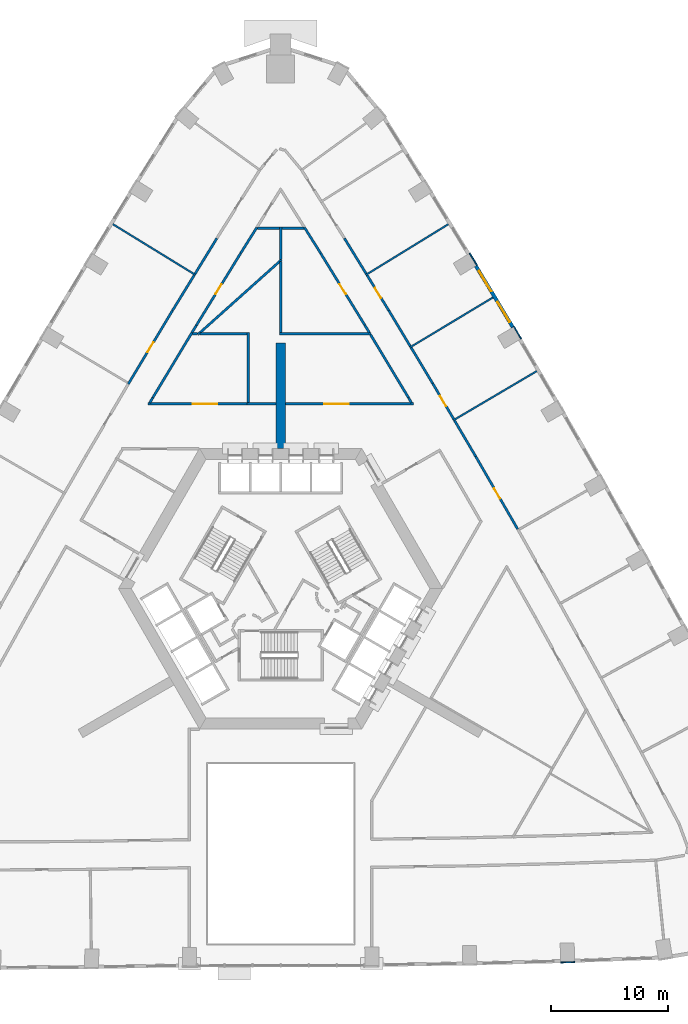
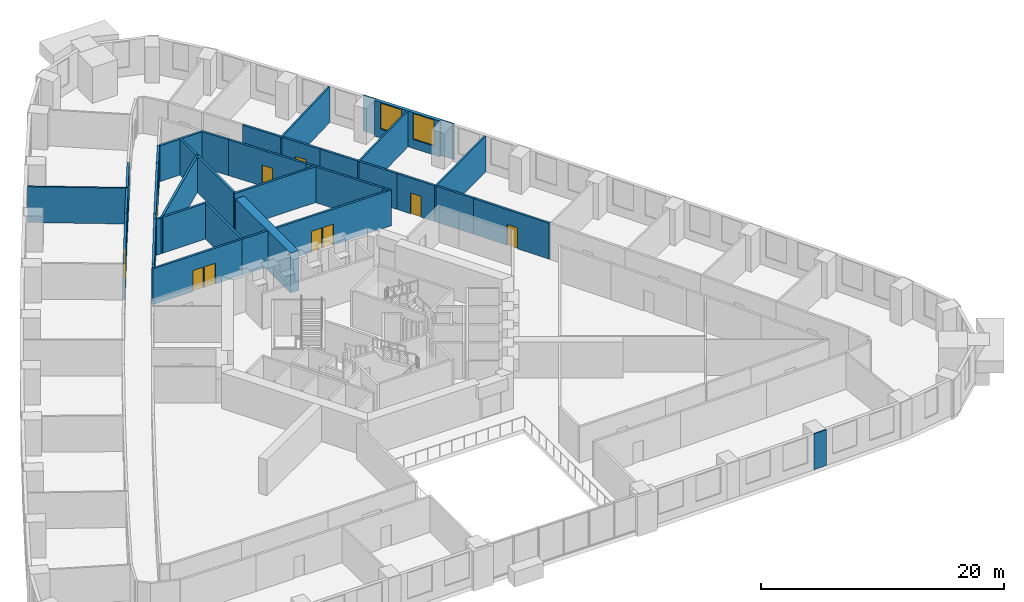
# One storey, part 9 of 15: 41 walls, 10 doors, 2 windows, 12 openings.
"""IFC4 building model written with IfcOpenShell, lengths in metres."""

from ifc_helpers import new_model, si_unit, direction, frame, frame_2d, origin, place, context, subcontext, project, spatial, rectangle, extrude, material, layer, layer_set, type_object, element, fill, save


model = new_model("IFC4")

# Units and contexts
model_context = context("Model", 3, precision=1e-05, world=origin(), true_north=direction((0.0, 1.0)))
body_context = subcontext(model_context, "Body", "Model", "MODEL_VIEW")
ifc_project = project(units=[si_unit("LENGTHUNIT", "METRE"), si_unit("AREAUNIT", "SQUARE_METRE"), si_unit("VOLUMEUNIT", "CUBIC_METRE"), si_unit("PLANEANGLEUNIT", "RADIAN"), si_unit("MASSUNIT", "GRAM", prefix="KILO")], contexts=[model_context])

# Site, building, storey
site_placement = place(None, origin())
site = spatial("IfcSite", under=ifc_project, at=site_placement, CompositionType="ELEMENT")
building_placement = place(site_placement, origin())
building = spatial("IfcBuilding", under=site, at=building_placement, Name="Entoto Arch Interchange Tower", CompositionType="ELEMENT")
storey_placement = place(building_placement, frame((0.0, 0.0, 77.0)))
storey = spatial("IfcBuildingStorey", under=building, at=storey_placement, Name="L16", CompositionType="ELEMENT", Elevation=77.0)

# Walls
ifc_material_1 = material(Name="Concrete C60/75", Category="concrete")
ifc_layer_1 = layer(ifc_material_1, 0.800048828125)
ifc_layer_set_1 = layer_set([ifc_layer_1], Name="Concrete C60/75")
wall_type_1 = type_object("IfcWallType", Name="Buttress wall 800 C60/75", PredefinedType="SHEAR", material=ifc_layer_set_1)
wall_1_placement = place(storey_placement, frame((0.0, 14.5, -0.39990234375), z_axis=(0.0, 0.0, 1.0), x_axis=(0.0, 1.0, 0.0)))
element("IfcWall", 1, at=wall_1_placement, inside=storey, type_object=wall_type_1, Name="Buttress wall N L16", PredefinedType="SHEAR", context=body_context, shape_type="SweptSolid", body=[
    extrude(rectangle(XDim=9.0, YDim=0.800048828125, at=frame_2d((4.5, 0.0))), origin(), (0.0, 0.0, 1.0), 4.0),
])
ifc_material_2 = material(Name="Gypsum board partition on steel studs", Category="steel")
ifc_layer_2 = layer(ifc_material_2, 0.14990234375)
ifc_layer_set_2 = layer_set([ifc_layer_2], Name="Gypsum board partition on steel studs")
wall_type_2 = type_object("IfcWallType", Name="PARTITION 150", PredefinedType="PARTITIONING", material=ifc_layer_set_2)
wall_2_placement = place(storey_placement, frame((14.740966796875, 16.885009765625, 0.0), z_axis=(0.0, 0.0, 1.0), x_axis=(0.861505144806, 0.507748840936, 0.0)))
element("IfcWall", 2, at=wall_2_placement, inside=storey, type_object=wall_type_2, Name="wall:L16:p137", PredefinedType="PARTITIONING", context=body_context, shape_type="SweptSolid", body=[
    extrude(rectangle(XDim=8.299560546875, YDim=0.14990234375, at=frame_2d((4.14990234375, 0.0))), origin(), (0.0, 0.0, 1.0), 3.60009765625),
])
wall_3_placement = place(storey_placement, frame((11.031005859375, 23.113037109375, 0.0), z_axis=(0.0, 0.0, 1.0), x_axis=(0.856780947164, 0.515680529568, 0.0)))
element("IfcWall", 3, at=wall_3_placement, inside=storey, type_object=wall_type_2, Name="wall:L16:p138", PredefinedType="PARTITIONING", context=body_context, shape_type="SweptSolid", body=[
    extrude(rectangle(XDim=8.2998046875, YDim=0.14990234375, at=frame_2d((4.14990234375, 0.0))), origin(), (0.0, 0.0, 1.0), 3.60009765625),
])
for number, where, z_axis, x_axis, name in (
    (4, (7.262939453125, 29.31005859375, 0.0), (0.0, 0.0, 1.0), (0.85208929269, 0.523396443706, 0.0), "wall:L16:p139"),
    (5, (-7.262939453125, 29.31005859375, 0.0), (0.0, 0.0, 1.0), (-0.85208929269, 0.523396443706, 0.0), "wall:L16:p143"),
):
    element("IfcWall", number, at=place(storey_placement, frame(where, z_axis=z_axis, x_axis=x_axis)), inside=storey, type_object=wall_type_2, Name=name, PredefinedType="PARTITIONING", context=body_context, shape_type="SweptSolid", body=[
        extrude(rectangle(XDim=8.299560546875, YDim=0.14990234375, at=frame_2d((4.14990234375, 0.0))), origin(), (0.0, 0.0, 1.0), 3.60009765625),
    ])
ifc_layer_3 = layer(ifc_material_2, 0.199951171875)
ifc_layer_set_3 = layer_set([ifc_layer_3], Name="Gypsum board partition on steel studs")
wall_type_3 = type_object("IfcWallType", Name="PARTITION 200", PredefinedType="PARTITIONING", material=ifc_layer_set_3)
wall_4_placement = place(storey_placement, frame((11.18603515625, 18.385986328125, 0.0), z_axis=(0.0, 0.0, 1.0), x_axis=(-0.507247363226, 0.861800506208, 0.0)))
element("IfcWall", 6, at=wall_4_placement, inside=storey, type_object=wall_type_3, Name="wall:L16:p008", PredefinedType="PARTITIONING", context=body_context, shape_type="SweptSolid", body=[
    extrude(rectangle(XDim=0.516357421875, YDim=0.199951171875, at=frame_2d((0.25830078125, 0.0))), origin(), (0.0, 0.0, 1.0), 3.60009765625),
])
wall_5_placement = place(storey_placement, frame((10.924072265625, 18.8310546875, 0.0), z_axis=(0.0, 0.0, 1.0), x_axis=(-0.515797941416, 0.856710268195, 0.0)))
element("IfcWall", 7, at=wall_5_placement, inside=storey, type_object=wall_type_3, Name="wall:L16:p009", PredefinedType="PARTITIONING", context=body_context, shape_type="SweptSolid", body=[
    extrude(rectangle(XDim=6.283447265625, YDim=0.199951171875, at=frame_2d((3.1416015625, 0.0))), origin(), (0.0, 0.0, 1.0), 3.60009765625),
])
wall_6_placement = place(storey_placement, frame((-7.580078125, 24.385986328125, 0.0), z_axis=(0.0, 0.0, 1.0), x_axis=(-0.51574664882, -0.85674114774, 0.0)))
element("IfcWall", 8, at=wall_6_placement, inside=storey, type_object=wall_type_3, Name="wall:L16:p010", PredefinedType="PARTITIONING", context=body_context, shape_type="SweptSolid", body=[
    extrude(rectangle(XDim=6.48388671875, YDim=0.199951171875, at=frame_2d((3.241943359375, 0.0))), origin(), (0.0, 0.0, 1.0), 3.60009765625),
])
wall_7_placement = place(storey_placement, frame((-10.924072265625, 18.8310546875, 0.0), z_axis=(0.0, 0.0, 1.0), x_axis=(-0.507247363226, -0.861800506208, 0.0)))
element("IfcWall", 9, at=wall_7_placement, inside=storey, type_object=wall_type_3, Name="wall:L16:p011", PredefinedType="PARTITIONING", context=body_context, shape_type="SweptSolid", body=[
    extrude(rectangle(XDim=0.516357421875, YDim=0.199951171875, at=frame_2d((0.25830078125, 0.0))), origin(), (0.0, 0.0, 1.0), 3.60009765625),
])
wall_8_placement = place(storey_placement, frame((7.580078125, 24.385986328125, 0.0), z_axis=(0.0, 0.0, 1.0), x_axis=(-0.515748848873, 0.856739823334, 0.0)))
element("IfcWall", 10, at=wall_8_placement, inside=storey, type_object=wall_type_3, Name="wall:L16:p012", PredefinedType="PARTITIONING", context=body_context, shape_type="SweptSolid", body=[
    extrude(rectangle(XDim=0.74462890625, YDim=0.199951171875, at=frame_2d((0.372314453125, 0.0))), origin(), (0.0, 0.0, 1.0), 3.60009765625),
])

# Wall, opening, door
wall_9_placement = place(storey_placement, frame((7.196044921875, 25.02392578125, 0.0), z_axis=(0.0, 0.0, 1.0), x_axis=(-0.523464329994, 0.852047589765, 0.0)))
wall_9 = element("IfcWall", 11, at=wall_9_placement, inside=storey, type_object=wall_type_3, Name="wall:L16:p013", PredefinedType="PARTITIONING", context=body_context, shape_type="SweptSolid", body=[
    extrude(rectangle(XDim=7.23095703125, YDim=0.199951171875, at=frame_2d((3.615478515625, 0.0))), origin(), (0.0, 0.0, 1.0), 3.60009765625),
])
opening_1_placement = place(wall_9_placement, frame((3.114990234375, 0.0, 0.0)))
opening_1 = element("IfcOpeningElement", 12, at=opening_1_placement, cuts=wall_9, Name="Opening L16-D26", PredefinedType="OPENING", context=body_context, shape_type="SweptSolid", body=[
    extrude(rectangle(XDim=1.0, YDim=2.10009765625, at=frame_2d((0.5, 1.050048828125))), frame((0.0, 0.10986328125, 0.0), z_axis=(0.0, -1.0, 0.0), x_axis=(1.0, 0.0, 0.0)), (0.0, 0.0, 1.0), 0.219970703125),
])
ifc_material_3 = material(Name="Timber door leaf in Steel S235 frame", Category="steel")
door_type = type_object("IfcDoorType", Name="DOOR DS-10 1000x2100", OperationType="SINGLE_SWING_LEFT", PredefinedType="DOOR", material=ifc_material_3)
door_1_placement = place(opening_1_placement, origin())
door_1 = element("IfcDoor", 13, at=door_1_placement, inside=storey, type_object=door_type, Name="door:L16:26", OperationType="SINGLE_SWING_LEFT", OverallHeight=2.10009765625, OverallWidth=1.0, PredefinedType="DOOR", context=body_context, shape_type="SweptSolid", body=[
    extrude(rectangle(XDim=1.0, YDim=2.10009765625, at=frame_2d((0.5, 1.050048828125))), frame((0.0, 0.02490234375, 0.0), z_axis=(0.0, -1.0, 0.0), x_axis=(1.0, 0.0, 0.0)), (0.0, 0.0, 1.0), 0.050048828125),
])
fill(opening_1, door_1)

# Walls
for number, where, z_axis, x_axis, name in (
    (14, (3.410888671875, 31.18505859375, 0.0), (0.0, 0.0, 1.0), (-0.531358798686, 0.84714687455, 0.0), "wall:L16:p014"),
    (15, (-2.031005859375, 33.385009765625, 0.0), (0.0, 0.0, 1.0), (-0.531358798686, -0.84714687455, 0.0), "wall:L16:p015"),
):
    element("IfcWall", number, at=place(storey_placement, frame(where, z_axis=z_axis, x_axis=x_axis)), inside=storey, type_object=wall_type_3, Name=name, PredefinedType="PARTITIONING", context=body_context, shape_type="SweptSolid", body=[
        extrude(rectangle(XDim=2.596923828125, YDim=0.199951171875, at=frame_2d((1.29833984375, 0.0))), origin(), (0.0, 0.0, 1.0), 3.60009765625),
    ])

# Wall, opening, door
wall_10_placement = place(storey_placement, frame((-3.410888671875, 31.18505859375, 0.0), z_axis=(0.0, 0.0, 1.0), x_axis=(-0.523464329994, -0.852047589765, 0.0)))
wall_10 = element("IfcWall", 16, at=wall_10_placement, inside=storey, type_object=wall_type_3, Name="wall:L16:p016", PredefinedType="PARTITIONING", context=body_context, shape_type="SweptSolid", body=[
    extrude(rectangle(XDim=7.23095703125, YDim=0.199951171875, at=frame_2d((3.615478515625, 0.0))), origin(), (0.0, 0.0, 1.0), 3.60009765625),
])
opening_2_placement = place(wall_10_placement, frame((3.114990234375, 0.0, 0.0)))
opening_2 = element("IfcOpeningElement", 17, at=opening_2_placement, cuts=wall_10, Name="Opening L16-D27", PredefinedType="OPENING", context=body_context, shape_type="SweptSolid", body=[
    extrude(rectangle(XDim=1.0, YDim=2.10009765625, at=frame_2d((0.5, 1.050048828125))), frame((0.0, 0.10986328125, 0.0), z_axis=(0.0, -1.0, 0.0), x_axis=(1.0, 0.0, 0.0)), (0.0, 0.0, 1.0), 0.219970703125),
])
door_2_placement = place(opening_2_placement, origin())
door_2 = element("IfcDoor", 18, at=door_2_placement, inside=storey, type_object=door_type, Name="door:L16:27", OperationType="SINGLE_SWING_LEFT", OverallHeight=2.10009765625, OverallWidth=1.0, PredefinedType="DOOR", context=body_context, shape_type="SweptSolid", body=[
    extrude(rectangle(XDim=1.0, YDim=2.10009765625, at=frame_2d((0.5, 1.050048828125))), frame((0.0, 0.02490234375, 0.0), z_axis=(0.0, -1.0, 0.0), x_axis=(1.0, 0.0, 0.0)), (0.0, 0.0, 1.0), 0.050048828125),
])
fill(opening_2, door_2)

# Walls
wall_11_placement = place(storey_placement, frame((-7.196044921875, 25.02392578125, 0.0), z_axis=(0.0, 0.0, 1.0), x_axis=(-0.515748848873, -0.856739823334, 0.0)))
element("IfcWall", 19, at=wall_11_placement, inside=storey, type_object=wall_type_3, Name="wall:L16:p017", PredefinedType="PARTITIONING", context=body_context, shape_type="SweptSolid", body=[
    extrude(rectangle(XDim=0.74462890625, YDim=0.199951171875, at=frame_2d((0.372314453125, 0.0))), origin(), (0.0, 0.0, 1.0), 3.60009765625),
])
wall_12_placement = place(storey_placement, frame((14.864990234375, 16.87109375, 0.0), z_axis=(0.0, 0.0, 1.0), x_axis=(0.507839876831, -0.861451484125, 0.0)))
element("IfcWall", 20, at=wall_12_placement, inside=storey, type_object=wall_type_3, Name="wall:L16:p048", PredefinedType="PARTITIONING", context=body_context, shape_type="SweptSolid", body=[
    extrude(rectangle(XDim=3.55224609375, YDim=0.199951171875, at=frame_2d((1.776123046875, 0.0))), origin(), (0.0, 0.0, 1.0), 3.60009765625),
])

# Wall, opening, door
wall_13_placement = place(storey_placement, frame((16.6689453125, 13.81103515625, 0.0), z_axis=(0.0, 0.0, 1.0), x_axis=(0.500027672765, -0.866009426316, 0.0)))
wall_13 = element("IfcWall", 21, at=wall_13_placement, inside=storey, type_object=wall_type_3, Name="wall:L16:p049", PredefinedType="PARTITIONING", context=body_context, shape_type="SweptSolid", body=[
    extrude(rectangle(XDim=7.177734375, YDim=0.199951171875, at=frame_2d((3.5888671875, 0.0))), origin(), (0.0, 0.0, 1.0), 3.60009765625),
])
opening_3_placement = place(wall_13_placement, frame((3.1640625, 0.0, 0.0)))
opening_3 = element("IfcOpeningElement", 22, at=opening_3_placement, cuts=wall_13, Name="Opening L16-D06", PredefinedType="OPENING", context=body_context, shape_type="SweptSolid", body=[
    extrude(rectangle(XDim=1.0, YDim=2.10009765625, at=frame_2d((0.5, 1.050048828125))), frame((0.0, 0.10986328125, 0.0), z_axis=(0.0, -1.0, 0.0), x_axis=(1.0, 0.0, 0.0)), (0.0, 0.0, 1.0), 0.219970703125),
])
door_3_placement = place(opening_3_placement, origin())
door_3 = element("IfcDoor", 23, at=door_3_placement, inside=storey, type_object=door_type, Name="door:L16:06", OperationType="SINGLE_SWING_LEFT", OverallHeight=2.10009765625, OverallWidth=1.0, PredefinedType="DOOR", context=body_context, shape_type="SweptSolid", body=[
    extrude(rectangle(XDim=1.0, YDim=2.10009765625, at=frame_2d((0.5, 1.050048828125))), frame((0.0, 0.02490234375, 0.0), z_axis=(0.0, -1.0, 0.0), x_axis=(1.0, 0.0, 0.0)), (0.0, 0.0, 1.0), 0.050048828125),
])
fill(opening_3, door_3)

# Wall
wall_14_placement = place(storey_placement, frame((11.156005859375, 23.10009765625, 0.0), z_axis=(0.0, 0.0, 1.0), x_axis=(0.515628270719, -0.856812398623, 0.0)))
element("IfcWall", 24, at=wall_14_placement, inside=storey, type_object=wall_type_3, Name="wall:L16:p050", PredefinedType="PARTITIONING", context=body_context, shape_type="SweptSolid", body=[
    extrude(rectangle(XDim=3.54931640625, YDim=0.199951171875, at=frame_2d((1.774658203125, 0.0))), origin(), (0.0, 0.0, 1.0), 3.60009765625),
])

# Wall, opening, door
wall_15_placement = place(storey_placement, frame((12.986083984375, 20.05908203125, 0.0), z_axis=(0.0, 0.0, 1.0), x_axis=(0.507876424268, -0.861429937762, 0.0)))
wall_15 = element("IfcWall", 25, at=wall_15_placement, inside=storey, type_object=wall_type_3, Name="wall:L16:p051", PredefinedType="PARTITIONING", context=body_context, shape_type="SweptSolid", body=[
    extrude(rectangle(XDim=3.550048828125, YDim=0.199951171875, at=frame_2d((1.77490234375, 0.0))), origin(), (0.0, 0.0, 1.0), 3.60009765625),
])
opening_4_placement = place(wall_15_placement, frame((1.27490234375, 0.0, 0.0)))
opening_4 = element("IfcOpeningElement", 26, at=opening_4_placement, cuts=wall_15, Name="Opening L16-D07", PredefinedType="OPENING", context=body_context, shape_type="SweptSolid", body=[
    extrude(rectangle(XDim=1.0, YDim=2.10009765625, at=frame_2d((0.5, 1.050048828125))), frame((0.0, 0.10986328125, 0.0), z_axis=(0.0, -1.0, 0.0), x_axis=(1.0, 0.0, 0.0)), (0.0, 0.0, 1.0), 0.219970703125),
])
door_4_placement = place(opening_4_placement, origin())
door_4 = element("IfcDoor", 27, at=door_4_placement, inside=storey, type_object=door_type, Name="door:L16:07", OperationType="SINGLE_SWING_RIGHT", OverallHeight=2.10009765625, OverallWidth=1.0, PredefinedType="DOOR", context=body_context, shape_type="SweptSolid", body=[
    extrude(rectangle(XDim=1.0, YDim=2.10009765625, at=frame_2d((0.5, 1.050048828125))), frame((0.0, 0.02490234375, 0.0), z_axis=(0.0, -1.0, 0.0), x_axis=(1.0, 0.0, 0.0)), (0.0, 0.0, 1.0), 0.050048828125),
])
fill(opening_4, door_4)

wall_16_placement = place(storey_placement, frame((7.386962890625, 29.298095703125, 0.0), z_axis=(0.0, 0.0, 1.0), x_axis=(0.523341833043, -0.852122834917, 0.0)))
wall_16 = element("IfcWall", 28, at=wall_16_placement, inside=storey, type_object=wall_type_3, Name="wall:L16:p052", PredefinedType="PARTITIONING", context=body_context, shape_type="SweptSolid", body=[
    extrude(rectangle(XDim=3.552490234375, YDim=0.199951171875, at=frame_2d((1.7763671875, 0.0))), origin(), (0.0, 0.0, 1.0), 3.60009765625),
])
opening_5_placement = place(wall_16_placement, frame((1.27587890625, 0.0, 0.0)))
opening_5 = element("IfcOpeningElement", 29, at=opening_5_placement, cuts=wall_16, Name="Opening L16-D08", PredefinedType="OPENING", context=body_context, shape_type="SweptSolid", body=[
    extrude(rectangle(XDim=1.0, YDim=2.10009765625, at=frame_2d((0.5, 1.050048828125))), frame((0.0, 0.10986328125, 0.0), z_axis=(0.0, -1.0, 0.0), x_axis=(1.0, 0.0, 0.0)), (0.0, 0.0, 1.0), 0.219970703125),
])
door_5_placement = place(opening_5_placement, origin())
door_5 = element("IfcDoor", 30, at=door_5_placement, inside=storey, type_object=door_type, Name="door:L16:08", OperationType="SINGLE_SWING_RIGHT", OverallHeight=2.10009765625, OverallWidth=1.0, PredefinedType="DOOR", context=body_context, shape_type="SweptSolid", body=[
    extrude(rectangle(XDim=1.0, YDim=2.10009765625, at=frame_2d((0.5, 1.050048828125))), frame((0.0, 0.02490234375, 0.0), z_axis=(0.0, -1.0, 0.0), x_axis=(1.0, 0.0, 0.0)), (0.0, 0.0, 1.0), 0.050048828125),
])
fill(opening_5, door_5)

# Walls
wall_17_placement = place(storey_placement, frame((9.24609375, 26.27099609375, 0.0), z_axis=(0.0, 0.0, 1.0), x_axis=(0.515738557296, -0.856746018677, 0.0)))
element("IfcWall", 31, at=wall_17_placement, inside=storey, type_object=wall_type_3, Name="wall:L16:p053", PredefinedType="PARTITIONING", context=body_context, shape_type="SweptSolid", body=[
    extrude(rectangle(XDim=3.5517578125, YDim=0.199951171875, at=frame_2d((1.77587890625, 0.0))), origin(), (0.0, 0.0, 1.0), 3.60009765625),
])
for number, where, z_axis, x_axis, name in (
    (32, (5.449951171875, 32.450927734375, 0.0), (0.0, 0.0, 1.0), (0.523617783711, -0.851953294836, 0.0), "wall:L16:p055"),
    (33, (-7.30908203125, 29.426025390625, 0.0), (0.0, 0.0, 1.0), (0.523617783711, 0.851953294836, 0.0), "wall:L16:p060"),
):
    element("IfcWall", number, at=place(storey_placement, frame(where, z_axis=z_axis, x_axis=x_axis)), inside=storey, type_object=wall_type_3, Name=name, PredefinedType="PARTITIONING", context=body_context, shape_type="SweptSolid", body=[
        extrude(rectangle(XDim=3.550537109375, YDim=0.199951171875, at=frame_2d((1.775390625, 0.0))), origin(), (0.0, 0.0, 1.0), 3.60009765625),
    ])

# Wall, opening, door
wall_18_placement = place(storey_placement, frame((-13.02490234375, 19.9951171875, 0.0), z_axis=(0.0, 0.0, 1.0), x_axis=(0.515828195336, 0.856692052546, 0.0)))
wall_18 = element("IfcWall", 34, at=wall_18_placement, inside=storey, type_object=wall_type_3, Name="wall:L16:p062", PredefinedType="PARTITIONING", context=body_context, shape_type="SweptSolid", body=[
    extrude(rectangle(XDim=7.32568359375, YDim=0.199951171875, at=frame_2d((3.662841796875, 0.0))), origin(), (0.0, 0.0, 1.0), 3.60009765625),
])
opening_6_placement = place(wall_18_placement, frame((3.1630859375, 0.0, 0.0)))
opening_6 = element("IfcOpeningElement", 35, at=opening_6_placement, cuts=wall_18, Name="Opening L16-D13", PredefinedType="OPENING", context=body_context, shape_type="SweptSolid", body=[
    extrude(rectangle(XDim=1.0, YDim=2.10009765625, at=frame_2d((0.5, 1.050048828125))), frame((0.0, 0.10986328125, 0.0), z_axis=(0.0, -1.0, 0.0), x_axis=(1.0, 0.0, 0.0)), (0.0, 0.0, 1.0), 0.219970703125),
])
door_6_placement = place(opening_6_placement, origin())
door_6 = element("IfcDoor", 36, at=door_6_placement, inside=storey, type_object=door_type, Name="door:L16:13", OperationType="SINGLE_SWING_LEFT", OverallHeight=2.10009765625, OverallWidth=1.0, PredefinedType="DOOR", context=body_context, shape_type="SweptSolid", body=[
    extrude(rectangle(XDim=1.0, YDim=2.10009765625, at=frame_2d((0.5, 1.050048828125))), frame((0.0, 0.02490234375, 0.0), z_axis=(0.0, -1.0, 0.0), x_axis=(1.0, 0.0, 0.0)), (0.0, 0.0, 1.0), 0.050048828125),
])
fill(opening_6, door_6)

# Walls
wall_19_placement = place(storey_placement, frame((-9.24609375, 26.27099609375, 0.0), z_axis=(0.0, 0.0, 1.0), x_axis=(0.523341833043, 0.852122834917, 0.0)))
element("IfcWall", 37, at=wall_19_placement, inside=storey, type_object=wall_type_3, Name="wall:L16:p063", PredefinedType="PARTITIONING", context=body_context, shape_type="SweptSolid", body=[
    extrude(rectangle(XDim=3.552490234375, YDim=0.199951171875, at=frame_2d((1.7763671875, 0.0))), origin(), (0.0, 0.0, 1.0), 3.60009765625),
])
wall_20_placement = place(storey_placement, frame((-2.87109375, 18.300048828125, 0.0), z_axis=(0.0, 0.0, 1.0), x_axis=(1.0, 0.0, 0.0)))
element("IfcWall", 38, at=wall_20_placement, inside=storey, type_object=wall_type_3, Name="wall:L16:p114", PredefinedType="PARTITIONING", context=body_context, shape_type="SweptSolid", body=[
    extrude(rectangle(XDim=2.47119140625, YDim=0.199951171875, at=frame_2d((1.235595703125, 0.0))), origin(), (0.0, 0.0, 1.0), 3.60009765625),
])

# Wall, openings, doors
wall_21_placement = place(storey_placement, frame((-11.3369140625, 18.300048828125, 0.0), z_axis=(0.0, 0.0, 1.0), x_axis=(1.0, 0.0, 0.0)))
wall_21 = element("IfcWall", 39, at=wall_21_placement, inside=storey, type_object=wall_type_3, Name="wall:L16:p115", PredefinedType="PARTITIONING", context=body_context, shape_type="SweptSolid", body=[
    extrude(rectangle(XDim=8.4658203125, YDim=0.199951171875, at=frame_2d((4.23291015625, 0.0))), origin(), (0.0, 0.0, 1.0), 3.60009765625),
])
opening_7_placement = place(wall_21_placement, frame((3.8330078125, 0.0, 0.0)))
opening_7 = element("IfcOpeningElement", 40, at=opening_7_placement, cuts=wall_21, Name="Opening L16-D25", PredefinedType="OPENING", context=body_context, shape_type="SweptSolid", body=[
    extrude(rectangle(XDim=1.0, YDim=2.10009765625, at=frame_2d((0.5, 1.050048828125))), frame((0.0, 0.10986328125, 0.0), z_axis=(0.0, -1.0, 0.0), x_axis=(1.0, 0.0, 0.0)), (0.0, 0.0, 1.0), 0.219970703125),
])
opening_8_placement = place(wall_21_placement, frame((4.93310546875, 0.0, 0.0)))
opening_8 = element("IfcOpeningElement", 41, at=opening_8_placement, cuts=wall_21, Name="Opening L16-D38", PredefinedType="OPENING", context=body_context, shape_type="SweptSolid", body=[
    extrude(rectangle(XDim=1.0, YDim=2.10009765625, at=frame_2d((0.5, 1.050048828125))), frame((0.0, 0.10986328125, 0.0), z_axis=(0.0, -1.0, 0.0), x_axis=(1.0, 0.0, 0.0)), (0.0, 0.0, 1.0), 0.219970703125),
])
door_7_placement = place(opening_7_placement, origin())
door_7 = element("IfcDoor", 42, at=door_7_placement, inside=storey, type_object=door_type, Name="door:L16:25", OperationType="SINGLE_SWING_RIGHT", OverallHeight=2.10009765625, OverallWidth=1.0, PredefinedType="DOOR", context=body_context, shape_type="SweptSolid", body=[
    extrude(rectangle(XDim=1.0, YDim=2.10009765625, at=frame_2d((0.5, 1.050048828125))), frame((0.0, 0.02490234375, 0.0), z_axis=(0.0, -1.0, 0.0), x_axis=(1.0, 0.0, 0.0)), (0.0, 0.0, 1.0), 0.050048828125),
])
fill(opening_7, door_7)
door_8_placement = place(opening_8_placement, origin())
door_8 = element("IfcDoor", 43, at=door_8_placement, inside=storey, type_object=door_type, Name="door:L16:38", OperationType="SINGLE_SWING_RIGHT", OverallHeight=2.10009765625, OverallWidth=1.0, PredefinedType="DOOR", context=body_context, shape_type="SweptSolid", body=[
    extrude(rectangle(XDim=1.0, YDim=2.10009765625, at=frame_2d((0.5, 1.050048828125))), frame((0.0, 0.02490234375, 0.0), z_axis=(0.0, -1.0, 0.0), x_axis=(1.0, 0.0, 0.0)), (0.0, 0.0, 1.0), 0.050048828125),
])
fill(opening_8, door_8)

# Walls
wall_22_placement = place(storey_placement, frame((-2.77099609375, 18.39990234375, 0.0), z_axis=(0.0, 0.0, 1.0), x_axis=(0.0, 1.0, 0.0)))
element("IfcWall", 44, at=wall_22_placement, inside=storey, type_object=wall_type_3, Name="wall:L16:p118", PredefinedType="PARTITIONING", context=body_context, shape_type="SweptSolid", body=[
    extrude(rectangle(XDim=6.0, YDim=0.199951171875, at=frame_2d((3.0, 0.0))), origin(), (0.0, 0.0, 1.0), 3.60009765625),
])
wall_23_placement = place(storey_placement, frame((-2.87109375, 24.300048828125, 0.0), z_axis=(0.0, 0.0, 1.0), x_axis=(-1.0, 0.0, 0.0)))
element("IfcWall", 45, at=wall_23_placement, inside=storey, type_object=wall_type_3, Name="wall:L16:p119", PredefinedType="PARTITIONING", context=body_context, shape_type="SweptSolid", body=[
    extrude(rectangle(XDim=4.02001953125, YDim=0.199951171875, at=frame_2d((2.010009765625, 0.0))), origin(), (0.0, 0.0, 1.0), 3.60009765625),
])
wall_24_placement = place(storey_placement, frame((0.0, 30.451904296875, 0.0), z_axis=(0.0, 0.0, 1.0), x_axis=(0.0, -1.0, 0.0)))
element("IfcWall", 46, at=wall_24_placement, inside=storey, type_object=wall_type_3, Name="wall:L16:p120", PredefinedType="PARTITIONING", context=body_context, shape_type="SweptSolid", body=[
    extrude(rectangle(XDim=6.052001953125, YDim=0.199951171875, at=frame_2d((3.02587890625, 0.0))), origin(), (0.0, 0.0, 1.0), 3.60009765625),
])
wall_25_placement = place(storey_placement, frame((-0.10009765625, 24.300048828125, 0.0), z_axis=(0.0, 0.0, 1.0), x_axis=(1.0, 0.0, 0.0)))
element("IfcWall", 47, at=wall_25_placement, inside=storey, type_object=wall_type_3, Name="wall:L16:p121", PredefinedType="PARTITIONING", context=body_context, shape_type="SweptSolid", body=[
    extrude(rectangle(XDim=7.83203125, YDim=0.199951171875, at=frame_2d((3.916015625, 0.0))), origin(), (0.0, 0.0, 1.0), 3.60009765625),
])
wall_26_placement = place(storey_placement, frame((-7.06494140625, 24.23291015625, 0.0), z_axis=(0.0, 0.0, 1.0), x_axis=(0.745362618546, 0.666659258448, 0.0)))
element("IfcWall", 48, at=wall_26_placement, inside=storey, type_object=wall_type_3, Name="wall:L16:p122", PredefinedType="PARTITIONING", context=body_context, shape_type="SweptSolid", body=[
    extrude(rectangle(XDim=9.5791015625, YDim=0.199951171875, at=frame_2d((4.78955078125, 0.0))), origin(), (0.0, 0.0, 1.0), 3.60009765625),
])
wall_27_placement = place(storey_placement, frame((-7.531982421875, 24.300048828125, 0.0), z_axis=(0.0, 0.0, 1.0), x_axis=(1.0, 0.0, 0.0)))
element("IfcWall", 49, at=wall_27_placement, inside=storey, type_object=wall_type_3, Name="wall:L16:p123", PredefinedType="PARTITIONING", context=body_context, shape_type="SweptSolid", body=[
    extrude(rectangle(XDim=0.44091796875, YDim=0.199951171875, at=frame_2d((0.220458984375, 0.0))), origin(), (0.0, 0.0, 1.0), 3.60009765625),
])
wall_28_placement = place(storey_placement, frame((0.0, 30.652099609375, 0.0), z_axis=(0.0, 0.0, 1.0), x_axis=(0.0, 1.0, 0.0)))
element("IfcWall", 50, at=wall_28_placement, inside=storey, type_object=wall_type_3, Name="wall:L16:p124", PredefinedType="PARTITIONING", context=body_context, shape_type="SweptSolid", body=[
    extrude(rectangle(XDim=2.747802734375, YDim=0.199951171875, at=frame_2d((1.3740234375, 0.0))), origin(), (0.0, 0.0, 1.0), 3.60009765625),
])
for number, where, z_axis, x_axis, name in (
    (51, (0.10009765625, 33.300048828125, 0.0), (0.0, 0.0, 1.0), (1.0, 0.0, 0.0), "wall:L16:p125"),
    (52, (-1.985107421875, 33.300048828125, 0.0), (0.0, 0.0, 1.0), (1.0, 0.0, 0.0), "wall:L16:p126"),
):
    element("IfcWall", number, at=place(storey_placement, frame(where, z_axis=z_axis, x_axis=x_axis)), inside=storey, type_object=wall_type_3, Name=name, PredefinedType="PARTITIONING", context=body_context, shape_type="SweptSolid", body=[
        extrude(rectangle(XDim=1.885009765625, YDim=0.199951171875, at=frame_2d((0.9423828125, 0.0))), origin(), (0.0, 0.0, 1.0), 3.60009765625),
    ])

# Wall, openings, doors
wall_29_placement = place(storey_placement, frame((0.39990234375, 18.300048828125, 0.0), z_axis=(0.0, 0.0, 1.0), x_axis=(1.0, 0.0, 0.0)))
wall_29 = element("IfcWall", 53, at=wall_29_placement, inside=storey, type_object=wall_type_3, Name="wall:L16:p114", PredefinedType="PARTITIONING", context=body_context, shape_type="SweptSolid", body=[
    extrude(rectangle(XDim=10.93701171875, YDim=0.199951171875, at=frame_2d((5.468505859375, 0.0))), origin(), (0.0, 0.0, 1.0), 3.60009765625),
])
opening_9_placement = place(wall_29_placement, frame((3.3330078125, 0.0, 0.0)))
opening_9 = element("IfcOpeningElement", 54, at=opening_9_placement, cuts=wall_29, Name="Opening L16-D24", PredefinedType="OPENING", context=body_context, shape_type="SweptSolid", body=[
    extrude(rectangle(XDim=1.0, YDim=2.10009765625, at=frame_2d((0.5, 1.050048828125))), frame((0.0, 0.10986328125, 0.0), z_axis=(0.0, -1.0, 0.0), x_axis=(1.0, 0.0, 0.0)), (0.0, 0.0, 1.0), 0.219970703125),
])
opening_10_placement = place(wall_29_placement, frame((4.43310546875, 0.0, 0.0)))
opening_10 = element("IfcOpeningElement", 55, at=opening_10_placement, cuts=wall_29, Name="Opening L16-D37", PredefinedType="OPENING", context=body_context, shape_type="SweptSolid", body=[
    extrude(rectangle(XDim=1.0, YDim=2.10009765625, at=frame_2d((0.5, 1.050048828125))), frame((0.0, 0.10986328125, 0.0), z_axis=(0.0, -1.0, 0.0), x_axis=(1.0, 0.0, 0.0)), (0.0, 0.0, 1.0), 0.219970703125),
])
door_9_placement = place(opening_9_placement, origin())
door_9 = element("IfcDoor", 56, at=door_9_placement, inside=storey, type_object=door_type, Name="door:L16:24", OperationType="SINGLE_SWING_LEFT", OverallHeight=2.10009765625, OverallWidth=1.0, PredefinedType="DOOR", context=body_context, shape_type="SweptSolid", body=[
    extrude(rectangle(XDim=1.0, YDim=2.10009765625, at=frame_2d((0.5, 1.050048828125))), frame((0.0, 0.02490234375, 0.0), z_axis=(0.0, -1.0, 0.0), x_axis=(1.0, 0.0, 0.0)), (0.0, 0.0, 1.0), 0.050048828125),
])
fill(opening_9, door_9)
door_10_placement = place(opening_10_placement, origin())
door_10 = element("IfcDoor", 57, at=door_10_placement, inside=storey, type_object=door_type, Name="door:L16:37", OperationType="SINGLE_SWING_RIGHT", OverallHeight=2.10009765625, OverallWidth=1.0, PredefinedType="DOOR", context=body_context, shape_type="SweptSolid", body=[
    extrude(rectangle(XDim=1.0, YDim=2.10009765625, at=frame_2d((0.5, 1.050048828125))), frame((0.0, 0.02490234375, 0.0), z_axis=(0.0, -1.0, 0.0), x_axis=(1.0, 0.0, 0.0)), (0.0, 0.0, 1.0), 0.050048828125),
])
fill(opening_10, door_10)

# Wall, openings, windows
ifc_material_4 = material(Name="Welded tuff (ignimbrite) cladding, warm buff", Category="masonry")
ifc_layer_4 = layer(ifc_material_4, 0.300048828125)
ifc_layer_set_4 = layer_set([ifc_layer_4], Name="Welded tuff (ignimbrite) cladding, warm buff")
wall_type_4 = type_object("IfcWallType", Name="STONE INFILL WALL 300", PredefinedType="STANDARD", material=ifc_layer_set_4)
wall_30_placement = place(storey_placement, frame((19.85107421875, 24.844970703125, 0.0), z_axis=(0.0, 0.0, 1.0), x_axis=(-0.515690089348, 0.856775193238, 0.0)))
wall_30 = element("IfcWall", 58, at=wall_30_placement, inside=storey, type_object=wall_type_4, Name="Facade wall NE-07 L16", PredefinedType="STANDARD", context=body_context, shape_type="SweptSolid", body=[
    extrude(rectangle(XDim=6.1298828125, YDim=0.300048828125, at=frame_2d((3.06494140625, 0.0))), origin(), (0.0, 0.0, 1.0), 3.60009765625),
])
opening_11_placement = place(wall_30_placement, frame((0.531982421875, 0.0, 0.89990234375)))
opening_11 = element("IfcOpeningElement", 59, at=opening_11_placement, cuts=wall_30, Name="Opening WO-C", PredefinedType="OPENING", context=body_context, shape_type="SweptSolid", body=[
    extrude(rectangle(XDim=2.0, YDim=2.60009765625, at=frame_2d((1.0, 1.300048828125))), frame((0.0, 0.16015625, 0.0), z_axis=(0.0, -1.0, 0.0), x_axis=(1.0, 0.0, 0.0)), (0.0, 0.0, 1.0), 0.320068359375),
])
opening_12_placement = place(wall_30_placement, frame((3.596923828125, 0.0, 0.89990234375)))
opening_12 = element("IfcOpeningElement", 60, at=opening_12_placement, cuts=wall_30, Name="Opening WO-C", PredefinedType="OPENING", context=body_context, shape_type="SweptSolid", body=[
    extrude(rectangle(XDim=2.0, YDim=2.60009765625, at=frame_2d((1.0, 1.300048828125))), frame((0.0, 0.16015625, 0.0), z_axis=(0.0, -1.0, 0.0), x_axis=(1.0, 0.0, 0.0)), (0.0, 0.0, 1.0), 0.320068359375),
])
ifc_material_5 = material(Name="Clear glass, low-e double glazed", Category="glass")
window_type = type_object("IfcWindowType", Name="WINDOW WO-C 2000x2600", PartitioningType="DOUBLE_PANEL_VERTICAL", PredefinedType="WINDOW", material=ifc_material_5)
window_1_placement = place(opening_11_placement, origin())
window_1 = element("IfcWindow", 61, at=window_1_placement, inside=storey, type_object=window_type, Name="Window WO-C NE-07 L16", OverallHeight=2.60009765625, OverallWidth=2.0, PartitioningType="SINGLE_PANEL", PredefinedType="WINDOW", context=body_context, shape_type="SweptSolid", body=[
    extrude(rectangle(XDim=2.0, YDim=2.60009765625, at=frame_2d((1.0, 1.300048828125))), frame((0.0, 0.030029296875, 0.0), z_axis=(0.0, -1.0, 0.0), x_axis=(1.0, 0.0, 0.0)), (0.0, 0.0, 1.0), 0.06005859375),
])
fill(opening_11, window_1)
window_2_placement = place(opening_12_placement, origin())
window_2 = element("IfcWindow", 62, at=window_2_placement, inside=storey, type_object=window_type, Name="Window WO-C NE-07 L16", OverallHeight=2.60009765625, OverallWidth=2.0, PartitioningType="SINGLE_PANEL", PredefinedType="WINDOW", context=body_context, shape_type="SweptSolid", body=[
    extrude(rectangle(XDim=2.0, YDim=2.60009765625, at=frame_2d((1.0, 1.300048828125))), frame((0.0, 0.030029296875, 0.0), z_axis=(0.0, -1.0, 0.0), x_axis=(1.0, 0.0, 0.0)), (0.0, 0.0, 1.0), 0.06005859375),
])
fill(opening_12, window_2)

# Walls
ifc_layer_5 = layer(ifc_material_4, 0.10009765625)
ifc_layer_set_5 = layer_set([ifc_layer_5], Name="Welded tuff (ignimbrite) cladding, warm buff")
wall_type_5 = type_object("IfcWallType", Name="STONE PIER CLADDING 100", PredefinedType="STANDARD", material=ifc_layer_set_5)
wall_31_placement = place(storey_placement, frame((20.553955078125, 23.867919921875, 0.0), z_axis=(0.0, 0.0, 1.0), x_axis=(-0.513238760752, 0.858245870635, 0.0)))
element("IfcWall", 63, at=wall_31_placement, inside=storey, type_object=wall_type_5, Name="Stone pier NE07 L16", PredefinedType="STANDARD", context=body_context, shape_type="SweptSolid", body=[
    extrude(rectangle(XDim=1.2001953125, YDim=0.10009765625, at=frame_2d((0.60009765625, 0.0))), origin(), (0.0, 0.0, 1.0), 3.60009765625),
])
wall_32_placement = place(storey_placement, frame((16.779052734375, 30.14990234375, 0.0), z_axis=(0.0, 0.0, 1.0), x_axis=(-0.521507599072, 0.853246637327, 0.0)))
element("IfcWall", 64, at=wall_32_placement, inside=storey, type_object=wall_type_5, Name="Stone pier NE08 L16", PredefinedType="STANDARD", context=body_context, shape_type="SweptSolid", body=[
    extrude(rectangle(XDim=1.200439453125, YDim=0.10009765625, at=frame_2d((0.60009765625, 0.0))), origin(), (0.0, 0.0, 1.0), 3.60009765625),
])
wall_33_placement = place(storey_placement, frame((23.93896484375, -29.446044921875, 0.0), z_axis=(0.0, 0.0, 1.0), x_axis=(0.999442872267, 0.03337581573, 0.0)))
element("IfcWall", 65, at=wall_33_placement, inside=storey, type_object=wall_type_5, Name="Stone pier S07 L16", PredefinedType="STANDARD", context=body_context, shape_type="SweptSolid", body=[
    extrude(rectangle(XDim=1.19970703125, YDim=0.10009765625, at=frame_2d((0.599853515625, 0.0))), origin(), (0.0, 0.0, 1.0), 3.60009765625),
])

save(model, "model.ifc")
